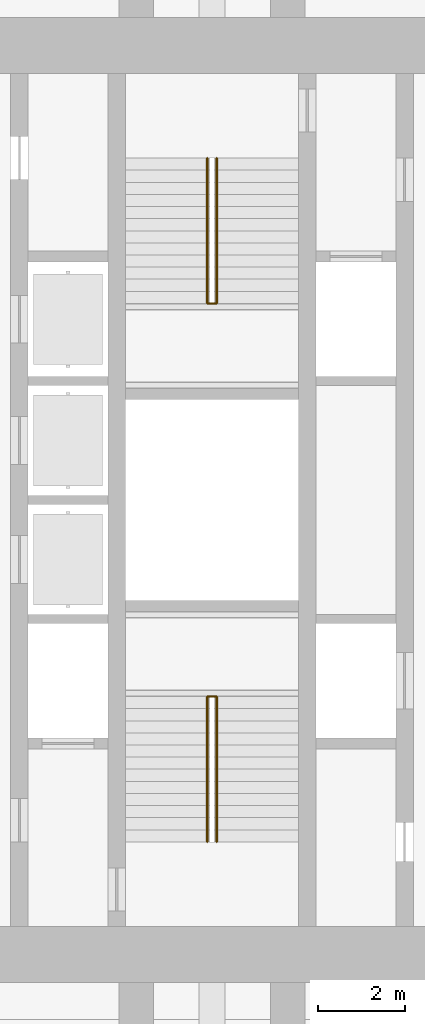
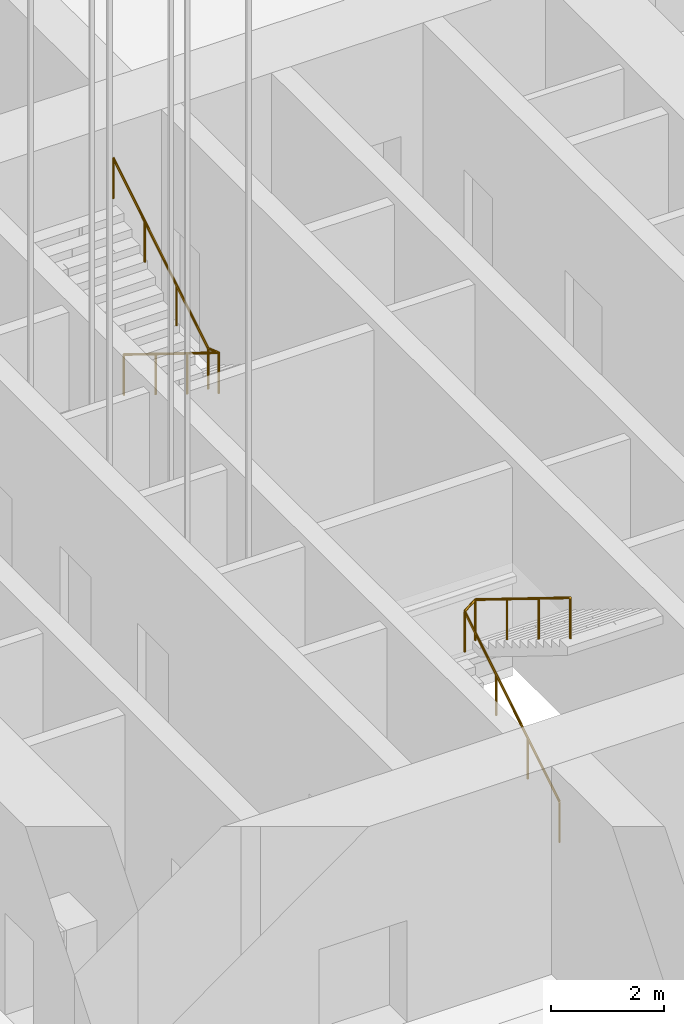
# One storey, part 20 of 27: 2 railings.
"""IFC4 building model written with IfcOpenShell, lengths in metres."""

from ifc_helpers import new_model, si_unit, direction, frame, origin, origin_2d, place, context, subcontext, project, spatial, circle, extrude, material, type_object, element, save


model = new_model("IFC4")

# Units and contexts
model_context = context("Model", 3, precision=1e-05, world=origin(), true_north=direction((0.0, 1.0)))
body_context = subcontext(model_context, "Body", "Model", "MODEL_VIEW")
ifc_project = project(units=[si_unit("LENGTHUNIT", "METRE"), si_unit("AREAUNIT", "SQUARE_METRE"), si_unit("VOLUMEUNIT", "CUBIC_METRE"), si_unit("PLANEANGLEUNIT", "RADIAN"), si_unit("MASSUNIT", "GRAM", prefix="KILO")], contexts=[model_context])

# Site, building, storey
site_placement = place(None, origin())
site = spatial("IfcSite", under=ifc_project, at=site_placement, CompositionType="ELEMENT")
building_placement = place(site_placement, origin())
building = spatial("IfcBuilding", under=site, at=building_placement, Name="Mizan Broadcast Tower", CompositionType="ELEMENT")
storey_placement = place(building_placement, frame((0.0, 0.0, 113.699951171875)))
storey = spatial("IfcBuildingStorey", under=building, at=storey_placement, Name="L25", CompositionType="ELEMENT", Elevation=113.699951171875)

# Railings
ifc_material = material(Name="Stainless steel", Category="steel")
railing_type = type_object("IfcRailingType", Name="HANDRAIL 50", PredefinedType="HANDRAIL", material=ifc_material)
railing_1_placement = place(storey_placement, frame((-0.110107421875, -7.89990234375, 0.173095703125)))
element("IfcRailing", 1, at=railing_1_placement, inside=storey, type_object=railing_type, Name="Stair A handrail", PredefinedType="HANDRAIL", context=body_context, shape_type="SweptSolid", body=[
    extrude(circle(Radius=0.02392578125, at=origin_2d()), frame((0.0, 0.0, 0.8759765625), z_axis=(0.0, 0.850606129759, 0.525803396734), x_axis=(-1.0, 0.0, 0.0)), (0.0, 0.0, 1.0), 3.949951171875),
    extrude(circle(Radius=0.02392578125, at=origin_2d()), frame((0.0, 3.35986328125, 2.95263671875), z_axis=(0.786197342391, 0.0, 0.617975516358), x_axis=(0.0, 1.0, 0.0)), (0.0, 0.0, 1.0), 0.280029296875),
    extrude(circle(Radius=0.02392578125, at=origin_2d()), frame((0.22021484375, 3.35986328125, 3.1259765625), z_axis=(0.0, -0.850606129759, 0.525803396734), x_axis=(1.0, 0.0, 0.0)), (0.0, 0.0, 1.0), 3.949951171875),
    extrude(circle(Radius=0.02099609375, at=origin_2d()), origin(), (0.0, 0.0, 1.0), 0.851806640625),
    extrude(circle(Radius=0.02099609375, at=origin_2d()), frame((0.0, 1.119873046875, 0.6923828125)), (0.0, 0.0, 1.0), 0.851806640625),
    extrude(circle(Radius=0.02099609375, at=origin_2d()), frame((0.0, 2.239990234375, 1.384521484375)), (0.0, 0.0, 1.0), 0.851806640625),
    extrude(circle(Radius=0.02099609375, at=origin_2d()), frame((0.0, 3.35986328125, 2.076904296875)), (0.0, 0.0, 1.0), 0.851806640625),
    extrude(circle(Radius=0.02099609375, at=origin_2d()), frame((0.22021484375, 3.35986328125, 2.25)), (0.0, 0.0, 1.0), 0.851806640625),
    extrude(circle(Radius=0.02099609375, at=origin_2d()), frame((0.22021484375, 2.239990234375, 2.9423828125)), (0.0, 0.0, 1.0), 0.851806640625),
    extrude(circle(Radius=0.02099609375, at=origin_2d()), frame((0.22021484375, 1.119873046875, 3.634521484375)), (0.0, 0.0, 1.0), 0.851806640625),
    extrude(circle(Radius=0.02099609375, at=origin_2d()), frame((0.22021484375, 0.0, 4.326904296875)), (0.0, 0.0, 1.0), 0.851806640625),
])
railing_2_placement = place(storey_placement, frame((0.110107421875, 7.89990234375, 0.173095703125)))
element("IfcRailing", 2, at=railing_2_placement, inside=storey, type_object=railing_type, Name="Stair B handrail", PredefinedType="HANDRAIL", context=body_context, shape_type="SweptSolid", body=[
    extrude(circle(Radius=0.02392578125, at=origin_2d()), frame((0.0, 0.0, 0.8759765625), z_axis=(0.0, -0.850606129759, 0.525803396734), x_axis=(1.0, 0.0, 0.0)), (0.0, 0.0, 1.0), 3.949951171875),
    extrude(circle(Radius=0.02392578125, at=origin_2d()), frame((0.0, -3.35986328125, 2.95263671875), z_axis=(-0.786197342391, 0.0, 0.617975516358), x_axis=(0.0, -1.0, 0.0)), (0.0, 0.0, 1.0), 0.280029296875),
    extrude(circle(Radius=0.02392578125, at=origin_2d()), frame((-0.22021484375, -3.35986328125, 3.1259765625), z_axis=(0.0, 0.850606129759, 0.525803396734), x_axis=(-1.0, 0.0, 0.0)), (0.0, 0.0, 1.0), 3.949951171875),
    extrude(circle(Radius=0.02099609375, at=origin_2d()), origin(), (0.0, 0.0, 1.0), 0.851806640625),
    extrude(circle(Radius=0.02099609375, at=origin_2d()), frame((0.0, -1.119873046875, 0.6923828125)), (0.0, 0.0, 1.0), 0.851806640625),
    extrude(circle(Radius=0.02099609375, at=origin_2d()), frame((0.0, -2.239990234375, 1.384521484375)), (0.0, 0.0, 1.0), 0.851806640625),
    extrude(circle(Radius=0.02099609375, at=origin_2d()), frame((0.0, -3.35986328125, 2.076904296875)), (0.0, 0.0, 1.0), 0.851806640625),
    extrude(circle(Radius=0.02099609375, at=origin_2d()), frame((-0.22021484375, -3.35986328125, 2.25)), (0.0, 0.0, 1.0), 0.851806640625),
    extrude(circle(Radius=0.02099609375, at=origin_2d()), frame((-0.22021484375, -2.239990234375, 2.9423828125)), (0.0, 0.0, 1.0), 0.851806640625),
    extrude(circle(Radius=0.02099609375, at=origin_2d()), frame((-0.22021484375, -1.119873046875, 3.634521484375)), (0.0, 0.0, 1.0), 0.851806640625),
    extrude(circle(Radius=0.02099609375, at=origin_2d()), frame((-0.22021484375, 0.0, 4.326904296875)), (0.0, 0.0, 1.0), 0.851806640625),
])

save(model, "model.ifc")
